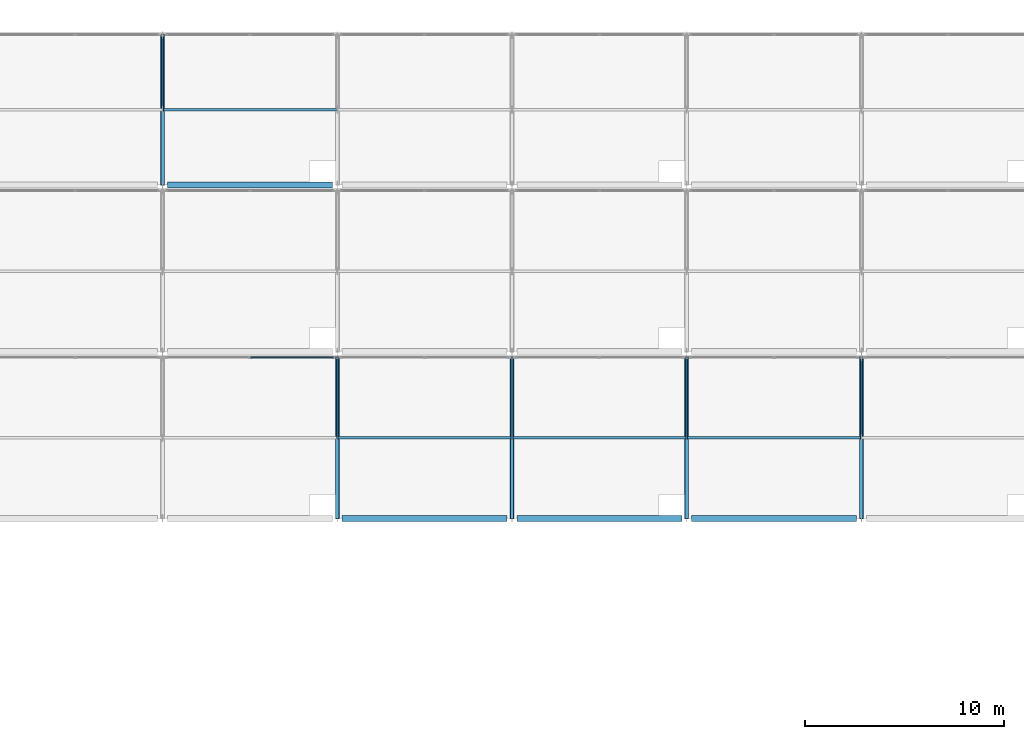
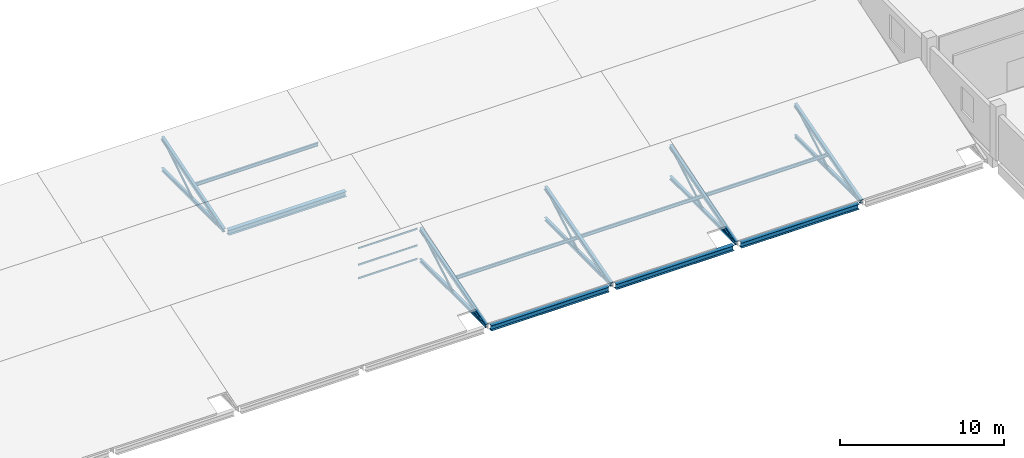
# One storey, part 9 of 40: 22 members, 4 beams, 1 element without a shape of its own.
"""IFC4 building model written with IfcOpenShell, lengths in metres."""

from ifc_helpers import new_model, si_unit, direction, frame, origin, origin_2d, place, context, subcontext, project, spatial, rectangle, hollow_rectangle, i_section, extrude, material, material_profile, profile_set, type_object, element, aggregate, save


model = new_model("IFC4")

# Units and contexts
model_context = context("Model", 3, precision=1e-05, world=origin(), true_north=direction((0.0, 1.0)))
body_context = subcontext(model_context, "Body", "Model", "MODEL_VIEW")
ifc_project = project(units=[si_unit("LENGTHUNIT", "METRE"), si_unit("AREAUNIT", "SQUARE_METRE"), si_unit("VOLUMEUNIT", "CUBIC_METRE"), si_unit("PLANEANGLEUNIT", "RADIAN"), si_unit("MASSUNIT", "GRAM", prefix="KILO")], contexts=[model_context])

# Site, building, storey
site_placement = place(None, origin())
site = spatial("IfcSite", under=ifc_project, at=site_placement, CompositionType="ELEMENT")
building_placement = place(site_placement, origin())
building = spatial("IfcBuilding", under=site, at=building_placement, Name="Brinegate Botanical Conservatory", CompositionType="ELEMENT")
storey_placement = place(building_placement, frame((0.0, 0.0, 19.199951171875)))
storey = spatial("IfcBuildingStorey", under=building, at=storey_placement, Name="L05", CompositionType="ELEMENT", Elevation=19.199951171875)

# Beams
ifc_material_1 = material(Name="Structural steel Q355B / S355", Category="steel")
ifc_material_profile_1 = material_profile(ifc_material_1, i_section(OverallWidth=0.300048828125, OverallDepth=0.389892578125, WebThickness=0.010009765625, FlangeThickness=0.01611328125, at=origin_2d()), Name="HM 390x300x10x16")
ifc_profile_set_1 = profile_set([ifc_material_profile_1], Name="Structural steel Q355B / S355")
beam_type = type_object("IfcBeamType", Name="Beam_BM-S5", PredefinedType="BEAM", material=ifc_profile_set_1)
for number, where, z_axis, x_axis, name in (
    (1, (86.25, 86.800048828125, -0.179931640625), (1.0, 0.0, 0.0), (0.0, 1.0, 0.0), "Sawtooth valley girder BM-S5 B1.5"),
    (2, (95.050048828125, 86.800048828125, -0.179931640625), (1.0, 0.0, 0.0), (0.0, 1.0, 0.0), "Sawtooth valley girder BM-S5 B1.6"),
):
    element("IfcBeam", number, at=place(storey_placement, frame(where, z_axis=z_axis, x_axis=x_axis)), inside=storey, type_object=beam_type, Name=name, PredefinedType="BEAM", context=body_context, shape_type="SweptSolid", body=[
        extrude(i_section(OverallWidth=0.300048828125, OverallDepth=0.389892578125, WebThickness=0.010009765625, FlangeThickness=0.01611328125, at=origin_2d()), origin(), (0.0, 0.0, 1.0), 8.300048828125),
    ])
beam_1_placement = place(storey_placement, frame((103.85009765625, 86.800048828125, -0.179931640625), z_axis=(1.0, 0.0, 0.0), x_axis=(0.0, 1.0, 0.0)))
element("IfcBeam", 3, at=beam_1_placement, inside=storey, type_object=beam_type, Name="Sawtooth valley girder BM-S5 B1.7", PredefinedType="BEAM", context=body_context, shape_type="SweptSolid", body=[
    extrude(i_section(OverallWidth=0.300048828125, OverallDepth=0.389892578125, WebThickness=0.010009765625, FlangeThickness=0.01611328125, at=origin_2d()), origin(), (0.0, 0.0, 1.0), 8.2998046875),
])
beam_2_placement = place(storey_placement, frame((77.449951171875, 103.60009765625, -0.179931640625), z_axis=(1.0, 0.0, 0.0), x_axis=(0.0, 1.0, 0.0)))
element("IfcBeam", 4, at=beam_2_placement, inside=storey, type_object=beam_type, Name="Sawtooth valley girder BM-S5 B3.4", PredefinedType="BEAM", context=body_context, shape_type="SweptSolid", body=[
    extrude(i_section(OverallWidth=0.300048828125, OverallDepth=0.389892578125, WebThickness=0.010009765625, FlangeThickness=0.01611328125, at=origin_2d()), origin(), (0.0, 0.0, 1.0), 8.300048828125),
])

# Members
ifc_material_profile_2 = material_profile(ifc_material_1, hollow_rectangle(XDim=0.080078125, YDim=0.159912109375, WallThickness=0.006103515625, at=origin_2d()), Name="RHS 160x80x6")
ifc_profile_set_2 = profile_set([ifc_material_profile_2], Name="Structural steel Q355B / S355")
member_type_1 = type_object("IfcMemberType", Name="Member_SB-01", PredefinedType="BRACE", material=ifc_profile_set_2)
for number, where, z_axis, x_axis, name in (
    (5, (86.0, 90.85009765625, 0.02001953125), (0.0, 0.866773050219, 0.498702796678), (-1.0, 0.0, 0.0), "Sawtooth web diagonal SB-01 B1.T5"),
    (6, (94.800048828125, 90.85009765625, 0.02001953125), (0.0, 0.866773050219, 0.498702796678), (-1.0, 0.0, 0.0), "Sawtooth web diagonal SB-01 B1.T6"),
    (7, (103.60009765625, 90.85009765625, 0.02001953125), (0.0, 0.866773050219, 0.498702796678), (-1.0, 0.0, 0.0), "Sawtooth web diagonal SB-01 B1.T7"),
    (8, (112.39990234375, 90.85009765625, 0.02001953125), (0.0, 0.866773050219, 0.498702796678), (-1.0, 0.0, 0.0), "Sawtooth web diagonal SB-01 B1.T8"),
):
    element("IfcMember", number, at=place(storey_placement, frame(where, z_axis=z_axis, x_axis=x_axis)), inside=storey, type_object=member_type_1, Name=name, PredefinedType="BRACE", context=body_context, shape_type="SweptSolid", body=[
        extrude(hollow_rectangle(XDim=0.080078125, YDim=0.159912109375, WallThickness=0.006103515625, at=origin_2d()), origin(), (0.0, 0.0, 1.0), 4.67236328125),
    ])
member_1_placement = place(storey_placement, frame((77.199951171875, 107.375, 0.02001953125), z_axis=(0.0, 0.850947042806, 0.525251492468), x_axis=(-1.0, 0.0, 0.0)))
element("IfcMember", 9, at=member_1_placement, inside=storey, type_object=member_type_1, Name="Sawtooth web diagonal SB-01 B3.T4", PredefinedType="BRACE", context=body_context, shape_type="SweptSolid", body=[
    extrude(hollow_rectangle(XDim=0.080078125, YDim=0.159912109375, WallThickness=0.006103515625, at=origin_2d()), origin(), (0.0, 0.0, 1.0), 4.43603515625),
])
ifc_material_profile_3 = material_profile(ifc_material_1, i_section(OverallWidth=0.199951171875, OverallDepth=0.2939453125, WebThickness=0.008056640625, FlangeThickness=0.011962890625, at=origin_2d()), Name="HM 294x200x8x12")
ifc_profile_set_3 = profile_set([ifc_material_profile_3], Name="Structural steel Q355B / S355")
member_type_2 = type_object("IfcMemberType", Name="Member_SC-01", PredefinedType="CHORD", material=ifc_profile_set_3)
for number, where, z_axis, x_axis, name in (
    (10, (86.0, 86.800048828125, 0.02001953125), (0.0, 0.961026120246, 0.276457584822), (-1.0, 0.0, 0.0), "Sawtooth rafter chord SC-01 B1.T5"),
    (11, (94.800048828125, 86.800048828125, 0.02001953125), (0.0, 0.961026120246, 0.276457584822), (-1.0, 0.0, 0.0), "Sawtooth rafter chord SC-01 B1.T6"),
    (12, (103.60009765625, 86.800048828125, 0.02001953125), (0.0, 0.961026120246, 0.276457584822), (-1.0, 0.0, 0.0), "Sawtooth rafter chord SC-01 B1.T7"),
    (13, (112.39990234375, 86.800048828125, 0.02001953125), (0.0, 0.961026120246, 0.276457584822), (-1.0, 0.0, 0.0), "Sawtooth rafter chord SC-01 B1.T8"),
):
    element("IfcMember", number, at=place(storey_placement, frame(where, z_axis=z_axis, x_axis=x_axis)), inside=storey, type_object=member_type_2, Name=name, PredefinedType="CHORD", context=body_context, shape_type="SweptSolid", body=[
        extrude(i_section(OverallWidth=0.199951171875, OverallDepth=0.2939453125, WebThickness=0.008056640625, FlangeThickness=0.011962890625, at=origin_2d()), origin(), (0.0, 0.0, 1.0), 8.42822265625),
    ])
member_2_placement = place(storey_placement, frame((77.199951171875, 103.60009765625, 0.02001953125), z_axis=(0.0, 0.955527457741, 0.294902149032), x_axis=(-1.0, 0.0, 0.0)))
element("IfcMember", 14, at=member_2_placement, inside=storey, type_object=member_type_2, Name="Sawtooth rafter chord SC-01 B3.T4", PredefinedType="CHORD", context=body_context, shape_type="SweptSolid", body=[
    extrude(i_section(OverallWidth=0.199951171875, OverallDepth=0.2939453125, WebThickness=0.008056640625, FlangeThickness=0.011962890625, at=origin_2d()), origin(), (0.0, 0.0, 1.0), 7.901123046875),
])
ifc_material_profile_4 = material_profile(ifc_material_1, i_section(OverallWidth=0.175048828125, OverallDepth=0.243896484375, WebThickness=0.007080078125, FlangeThickness=0.010986328125, at=origin_2d()), Name="HM 244x175x7x11")
ifc_profile_set_4 = profile_set([ifc_material_profile_4], Name="Structural steel Q355B / S355")
member_type_3 = type_object("IfcMemberType", Name="Member_SC-02", PredefinedType="CHORD", material=ifc_profile_set_4)
for number, where, z_axis, x_axis, name in (
    (15, (86.0, 86.800048828125, 0.02001953125), (0.0, 1.0, 0.0), (-1.0, 0.0, 0.0), "Sawtooth bottom tie SC-02 B1.T5"),
    (16, (94.800048828125, 86.800048828125, 0.02001953125), (0.0, 1.0, 0.0), (-1.0, 0.0, 0.0), "Sawtooth bottom tie SC-02 B1.T6"),
    (17, (103.60009765625, 86.800048828125, 0.02001953125), (0.0, 1.0, 0.0), (-1.0, 0.0, 0.0), "Sawtooth bottom tie SC-02 B1.T7"),
    (18, (112.39990234375, 86.800048828125, 0.02001953125), (0.0, 1.0, 0.0), (-1.0, 0.0, 0.0), "Sawtooth bottom tie SC-02 B1.T8"),
):
    element("IfcMember", number, at=place(storey_placement, frame(where, z_axis=z_axis, x_axis=x_axis)), inside=storey, type_object=member_type_3, Name=name, PredefinedType="CHORD", context=body_context, shape_type="SweptSolid", body=[
        extrude(i_section(OverallWidth=0.175048828125, OverallDepth=0.243896484375, WebThickness=0.007080078125, FlangeThickness=0.010986328125, at=origin_2d()), origin(), (0.0, 0.0, 1.0), 8.099853515625),
    ])
member_3_placement = place(storey_placement, frame((77.199951171875, 103.60009765625, 0.02001953125), z_axis=(0.0, 1.0, 0.0), x_axis=(-1.0, 0.0, 0.0)))
element("IfcMember", 19, at=member_3_placement, inside=storey, type_object=member_type_3, Name="Sawtooth bottom tie SC-02 B3.T4", PredefinedType="CHORD", context=body_context, shape_type="SweptSolid", body=[
    extrude(i_section(OverallWidth=0.175048828125, OverallDepth=0.243896484375, WebThickness=0.007080078125, FlangeThickness=0.010986328125, at=origin_2d()), origin(), (0.0, 0.0, 1.0), 7.5498046875),
])
ifc_material_profile_5 = material_profile(ifc_material_1, i_section(OverallWidth=0.125, OverallDepth=0.25, WebThickness=0.006103515625, FlangeThickness=0.009033203125, at=origin_2d()), Name="HN 250x125x6x9")
ifc_profile_set_5 = profile_set([ifc_material_profile_5], Name="Structural steel Q355B / S355")
member_type_4 = type_object("IfcMemberType", Name="Member_SPU-01", PredefinedType="PURLIN", material=ifc_profile_set_5)
for number, where, z_axis, x_axis, name in (
    (20, (86.0, 90.85009765625, 1.094970703125), (1.0, 0.0, 0.0), (0.0, 1.0, 0.0), "Sawtooth roof purlin SPU-01 B1.5"),
    (21, (94.800048828125, 90.85009765625, 1.094970703125), (1.0, 0.0, 0.0), (0.0, 1.0, 0.0), "Sawtooth roof purlin SPU-01 B1.6"),
):
    element("IfcMember", number, at=place(storey_placement, frame(where, z_axis=z_axis, x_axis=x_axis)), inside=storey, type_object=member_type_4, Name=name, PredefinedType="PURLIN", context=body_context, shape_type="SweptSolid", body=[
        extrude(i_section(OverallWidth=0.125, OverallDepth=0.25, WebThickness=0.006103515625, FlangeThickness=0.009033203125, at=origin_2d()), origin(), (0.0, 0.0, 1.0), 8.800048828125),
    ])
member_4_placement = place(storey_placement, frame((103.60009765625, 90.85009765625, 1.094970703125), z_axis=(1.0, 0.0, 0.0), x_axis=(0.0, 1.0, 0.0)))
element("IfcMember", 22, at=member_4_placement, inside=storey, type_object=member_type_4, Name="Sawtooth roof purlin SPU-01 B1.7", PredefinedType="PURLIN", context=body_context, shape_type="SweptSolid", body=[
    extrude(i_section(OverallWidth=0.125, OverallDepth=0.25, WebThickness=0.006103515625, FlangeThickness=0.009033203125, at=origin_2d()), origin(), (0.0, 0.0, 1.0), 8.7998046875),
])
member_5_placement = place(storey_placement, frame((77.199951171875, 107.375, 1.094970703125), z_axis=(1.0, 0.0, 0.0), x_axis=(0.0, 1.0, 0.0)))
element("IfcMember", 23, at=member_5_placement, inside=storey, type_object=member_type_4, Name="Sawtooth roof purlin SPU-01 B3.4", PredefinedType="PURLIN", context=body_context, shape_type="SweptSolid", body=[
    extrude(i_section(OverallWidth=0.125, OverallDepth=0.25, WebThickness=0.006103515625, FlangeThickness=0.009033203125, at=origin_2d()), origin(), (0.0, 0.0, 1.0), 8.800048828125),
])

# Curtain wall, members
ifc_material_2 = material(Name="Thermally broken anodised aluminium AW-6063-T6", Category="aluminium")
curtain_wall_type = type_object("IfcCurtainWallType", Name="CW_CW-SAW", PredefinedType="USERDEFINED", material=ifc_material_2)
curtain_wall_placement = place(storey_placement, origin())
curtain_wall = element("IfcCurtainWall", 24, at=curtain_wall_placement, inside=storey, type_object=curtain_wall_type, Name="Sawtooth north-light clerestory B1.4", ObjectType="FACTORY CURTAIN WALL", PredefinedType="USERDEFINED")
ifc_material_profile_6 = material_profile(ifc_material_2, rectangle(XDim=0.06005859375, YDim=0.1201171875, at=origin_2d()), Name="ALUM TRANSOM 60x120")
ifc_profile_set_6 = profile_set([ifc_material_profile_6], Name="Thermally broken anodised aluminium AW-6063-T6")
member_type_5 = type_object("IfcMemberType", Name="Member_TR-01", PredefinedType="USERDEFINED", material=ifc_profile_set_6)
member_6_placement = place(storey_placement, frame((81.6298828125, 94.89990234375, 0.179931640625), z_axis=(1.0, 0.0, 0.0), x_axis=(0.0, 1.0, 0.0)))
member_6 = element("IfcMember", 25, at=member_6_placement, type_object=member_type_5, Name="CW-SAW transom 2.1", ObjectType="TRANSOM", PredefinedType="USERDEFINED", context=body_context, shape_type="SweptSolid", body=[
    extrude(rectangle(XDim=0.06005859375, YDim=0.1201171875, at=origin_2d()), origin(), (0.0, 0.0, 1.0), 4.16015625),
])
member_7_placement = place(storey_placement, frame((81.6298828125, 94.89990234375, 1.18505859375), z_axis=(1.0, 0.0, 0.0), x_axis=(0.0, 1.0, 0.0)))
member_7 = element("IfcMember", 26, at=member_7_placement, type_object=member_type_5, Name="CW-SAW transom 2.2", ObjectType="TRANSOM", PredefinedType="USERDEFINED", context=body_context, shape_type="SweptSolid", body=[
    extrude(rectangle(XDim=0.06005859375, YDim=0.1201171875, at=origin_2d()), origin(), (0.0, 0.0, 1.0), 4.16015625),
])
member_8_placement = place(storey_placement, frame((81.6298828125, 94.89990234375, 2.420166015625), z_axis=(1.0, 0.0, 0.0), x_axis=(0.0, 1.0, 0.0)))
member_8 = element("IfcMember", 27, at=member_8_placement, type_object=member_type_5, Name="CW-SAW transom 2.3", ObjectType="TRANSOM", PredefinedType="USERDEFINED", context=body_context, shape_type="SweptSolid", body=[
    extrude(rectangle(XDim=0.06005859375, YDim=0.1201171875, at=origin_2d()), origin(), (0.0, 0.0, 1.0), 4.16015625),
])
aggregate(curtain_wall, [member_6, member_7, member_8])

save(model, "model.ifc")
